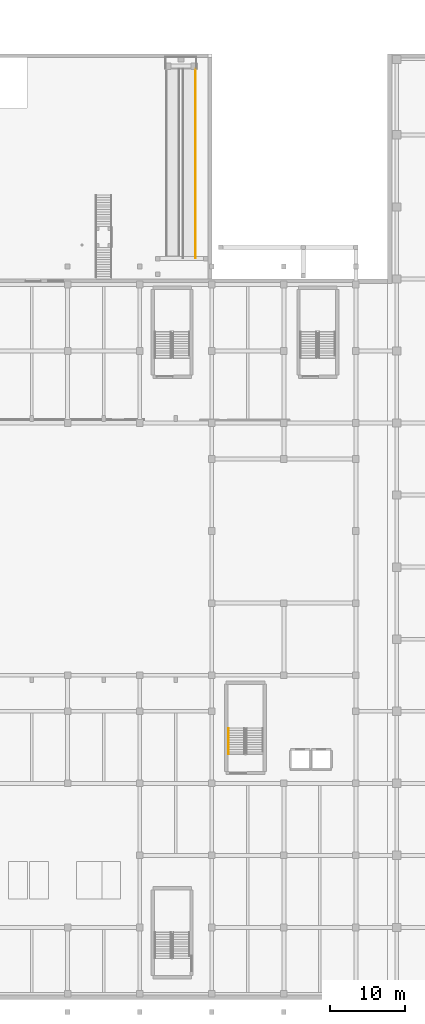
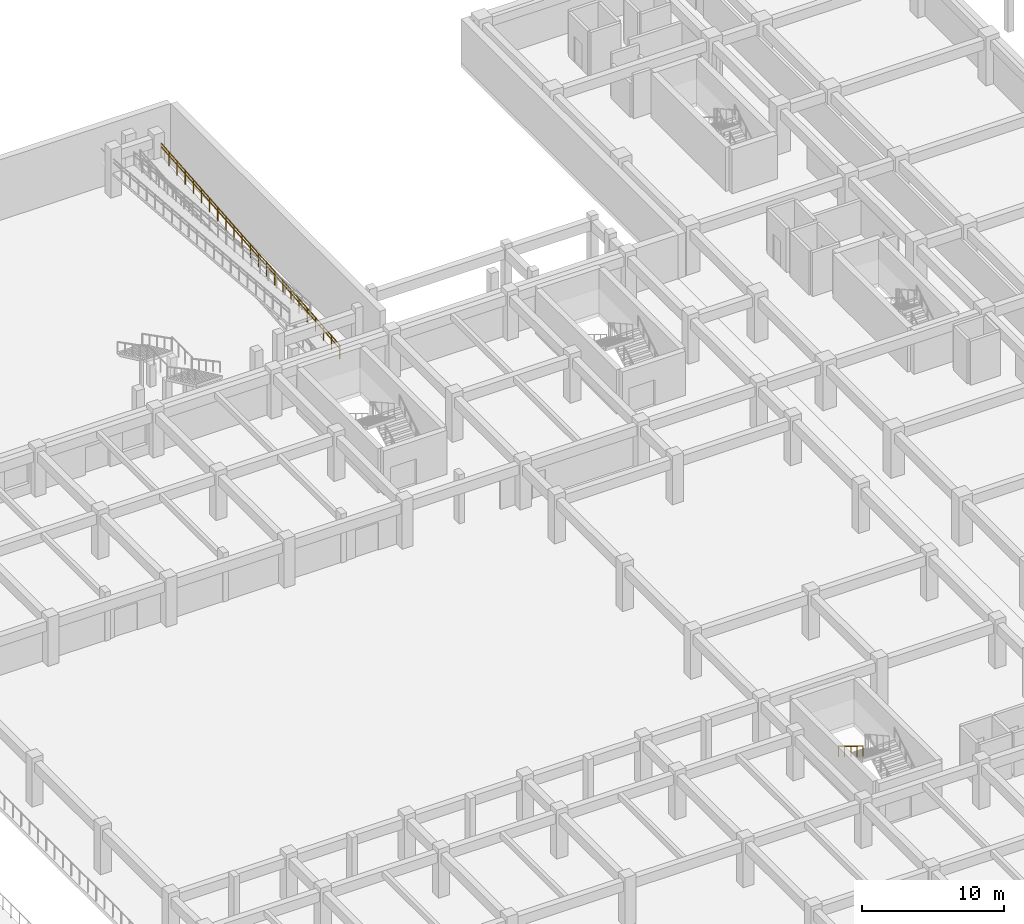
# One storey, part 34 of 39: 3 railings.
"""IFC4 building model written with IfcOpenShell, lengths in metres."""

from ifc_helpers import new_model, si_unit, direction, frame, origin, origin_2d, place, context, subcontext, project, spatial, circle, extrude, material, type_object, element, save


model = new_model("IFC4")

# Units and contexts
model_context = context("Model", 3, precision=1e-05, world=origin(), true_north=direction((0.0, 1.0)))
body_context = subcontext(model_context, "Body", "Model", "MODEL_VIEW")
ifc_project = project(units=[si_unit("LENGTHUNIT", "METRE"), si_unit("AREAUNIT", "SQUARE_METRE"), si_unit("VOLUMEUNIT", "CUBIC_METRE"), si_unit("PLANEANGLEUNIT", "RADIAN"), si_unit("MASSUNIT", "GRAM", prefix="KILO")], contexts=[model_context])

# Site, building, storey
site_placement = place(None, origin())
site = spatial("IfcSite", under=ifc_project, at=site_placement, CompositionType="ELEMENT")
building_placement = place(site_placement, origin())
building = spatial("IfcBuilding", under=site, at=building_placement, Name="Nakhvara Creek Congress Hotel", CompositionType="ELEMENT")
storey_placement = place(building_placement, frame((0.0, 0.0, -4.199951171875)))
storey = spatial("IfcBuildingStorey", under=building, at=storey_placement, Name="B1", CompositionType="ELEMENT", Elevation=-4.199951171875)

# Railings
ifc_material_1 = material(Name="Bronze-anodised aluminium and laminated safety glass balustrade", Category="aluminium")
railing_type_1 = type_object("IfcRailingType", Name="RL-BALUS-1200", PredefinedType="BALUSTRADE", material=ifc_material_1)
railing_1_placement = place(storey_placement, frame((122.639892578125, 98.800048828125, 0.0)))
element("IfcRailing", 1, at=railing_1_placement, inside=storey, type_object=railing_type_1, Name="Ramp Guard PR02-1R", PredefinedType="BALUSTRADE", context=body_context, shape_type="SweptSolid", body=[
    extrude(circle(Radius=0.02392578125, at=origin_2d()), frame((0.0, 0.0146484375, 1.177001953125), z_axis=(0.0, 0.996546224317, 0.083039886798), x_axis=(-1.0, 0.0, 0.0)), (0.0, 0.0, 1.0), 25.2578125),
    extrude(circle(Radius=0.02099609375, at=origin_2d()), origin(), (0.0, 0.0, 1.0), 1.1806640625),
    extrude(circle(Radius=0.02099609375, at=origin_2d()), frame((0.0, 1.1455078125, 0.095458984375)), (0.0, 0.0, 1.0), 1.1806640625),
    extrude(circle(Radius=0.02099609375, at=origin_2d()), frame((0.0, 2.291015625, 0.19091796875)), (0.0, 0.0, 1.0), 1.1806640625),
    extrude(circle(Radius=0.02099609375, at=origin_2d()), frame((0.0, 3.436279296875, 0.286376953125)), (0.0, 0.0, 1.0), 1.1806640625),
    extrude(circle(Radius=0.02099609375, at=origin_2d()), frame((0.0, 4.581787109375, 0.3818359375)), (0.0, 0.0, 1.0), 1.1806640625),
    extrude(circle(Radius=0.02099609375, at=origin_2d()), frame((0.0, 5.727294921875, 0.477294921875)), (0.0, 0.0, 1.0), 1.1806640625),
    extrude(circle(Radius=0.02099609375, at=origin_2d()), frame((0.0, 6.872802734375, 0.57275390625)), (0.0, 0.0, 1.0), 1.1806640625),
    extrude(circle(Radius=0.02099609375, at=origin_2d()), frame((0.0, 8.01806640625, 0.668212890625)), (0.0, 0.0, 1.0), 1.1806640625),
    extrude(circle(Radius=0.02099609375, at=origin_2d()), frame((0.0, 9.16357421875, 0.763671875)), (0.0, 0.0, 1.0), 1.1806640625),
    extrude(circle(Radius=0.02099609375, at=origin_2d()), frame((0.0, 10.30908203125, 0.859130859375)), (0.0, 0.0, 1.0), 1.1806640625),
    extrude(circle(Radius=0.02099609375, at=origin_2d()), frame((0.0, 11.45458984375, 0.95458984375)), (0.0, 0.0, 1.0), 1.1806640625),
    extrude(circle(Radius=0.02099609375, at=origin_2d()), frame((0.0, 12.60009765625, 1.0498046875)), (0.0, 0.0, 1.0), 1.1806640625),
    extrude(circle(Radius=0.02099609375, at=origin_2d()), frame((0.0, 13.745361328125, 1.145263671875)), (0.0, 0.0, 1.0), 1.1806640625),
    extrude(circle(Radius=0.02099609375, at=origin_2d()), frame((0.0, 14.890869140625, 1.24072265625)), (0.0, 0.0, 1.0), 1.1806640625),
    extrude(circle(Radius=0.02099609375, at=origin_2d()), frame((0.0, 16.036376953125, 1.336181640625)), (0.0, 0.0, 1.0), 1.1806640625),
    extrude(circle(Radius=0.02099609375, at=origin_2d()), frame((0.0, 17.181884765625, 1.431640625)), (0.0, 0.0, 1.0), 1.1806640625),
    extrude(circle(Radius=0.02099609375, at=origin_2d()), frame((0.0, 18.3271484375, 1.527099609375)), (0.0, 0.0, 1.0), 1.1806640625),
    extrude(circle(Radius=0.02099609375, at=origin_2d()), frame((0.0, 19.47265625, 1.62255859375)), (0.0, 0.0, 1.0), 1.1806640625),
    extrude(circle(Radius=0.02099609375, at=origin_2d()), frame((0.0, 20.6181640625, 1.718017578125)), (0.0, 0.0, 1.0), 1.1806640625),
    extrude(circle(Radius=0.02099609375, at=origin_2d()), frame((0.0, 21.763671875, 1.8134765625)), (0.0, 0.0, 1.0), 1.1806640625),
    extrude(circle(Radius=0.02099609375, at=origin_2d()), frame((0.0, 22.908935546875, 1.908935546875)), (0.0, 0.0, 1.0), 1.1806640625),
    extrude(circle(Radius=0.02099609375, at=origin_2d()), frame((0.0, 24.054443359375, 2.00439453125)), (0.0, 0.0, 1.0), 1.1806640625),
    extrude(circle(Radius=0.02099609375, at=origin_2d()), frame((0.0, 25.199951171875, 2.099853515625)), (0.0, 0.0, 1.0), 1.1806640625),
])
ifc_material_2 = material(Name="Brushed stainless steel 316L", Category="steel")
railing_type_2 = type_object("IfcRailingType", Name="RL-HAND-900", PredefinedType="HANDRAIL", material=ifc_material_2)
railing_2_placement = place(storey_placement, frame((127.02490234375, 36.14501953125, 2.27490234375)))
element("IfcRailing", 2, at=railing_2_placement, inside=storey, type_object=railing_type_2, Name="B1 ST06 stair handrail 2", PredefinedType="HANDRAIL", context=body_context, shape_type="SweptSolid", body=[
    extrude(circle(Radius=0.02392578125, at=origin_2d()), frame((0.0, -0.012451171875, 0.883544921875), z_axis=(0.0, -0.853990507121, 0.520288586985), x_axis=(1.0, 0.0, 0.0)), (0.0, 0.0, 1.0), 4.028076171875),
    extrude(circle(Radius=0.02099609375, at=origin_2d()), origin(), (0.0, 0.0, 1.0), 0.880615234375),
    extrude(circle(Radius=0.02099609375, at=origin_2d()), frame((0.0, -0.8662109375, 0.52783203125)), (0.0, 0.0, 1.0), 0.880615234375),
    extrude(circle(Radius=0.02099609375, at=origin_2d()), frame((0.0, -1.732421875, 1.0556640625)), (0.0, 0.0, 1.0), 0.880615234375),
    extrude(circle(Radius=0.02099609375, at=origin_2d()), frame((0.0, -2.598876953125, 1.583251953125)), (0.0, 0.0, 1.0), 0.880615234375),
    extrude(circle(Radius=0.02099609375, at=origin_2d()), frame((0.0, -3.465087890625, 2.111083984375)), (0.0, 0.0, 1.0), 0.880615234375),
])
railing_3_placement = place(storey_placement, frame((122.639892578125, 98.800048828125, 0.0)))
element("IfcRailing", 3, at=railing_3_placement, inside=storey, type_object=railing_type_2, Name="Ramp Handrail PR02-1R", PredefinedType="HANDRAIL", context=body_context, shape_type="SweptSolid", body=[
    extrude(circle(Radius=0.02392578125, at=origin_2d()), frame((0.0, 0.0146484375, 0.876953125), z_axis=(0.0, 0.996546224317, 0.083039886798), x_axis=(-1.0, 0.0, 0.0)), (0.0, 0.0, 1.0), 25.2578125),
    extrude(circle(Radius=0.02099609375, at=origin_2d()), origin(), (0.0, 0.0, 1.0), 0.880615234375),
    extrude(circle(Radius=0.02099609375, at=origin_2d()), frame((0.0, 1.1455078125, 0.095458984375)), (0.0, 0.0, 1.0), 0.880615234375),
    extrude(circle(Radius=0.02099609375, at=origin_2d()), frame((0.0, 2.291015625, 0.19091796875)), (0.0, 0.0, 1.0), 0.880615234375),
    extrude(circle(Radius=0.02099609375, at=origin_2d()), frame((0.0, 3.436279296875, 0.286376953125)), (0.0, 0.0, 1.0), 0.880615234375),
    extrude(circle(Radius=0.02099609375, at=origin_2d()), frame((0.0, 4.581787109375, 0.3818359375)), (0.0, 0.0, 1.0), 0.880615234375),
    extrude(circle(Radius=0.02099609375, at=origin_2d()), frame((0.0, 5.727294921875, 0.477294921875)), (0.0, 0.0, 1.0), 0.880615234375),
    extrude(circle(Radius=0.02099609375, at=origin_2d()), frame((0.0, 6.872802734375, 0.57275390625)), (0.0, 0.0, 1.0), 0.880615234375),
    extrude(circle(Radius=0.02099609375, at=origin_2d()), frame((0.0, 8.01806640625, 0.668212890625)), (0.0, 0.0, 1.0), 0.880615234375),
    extrude(circle(Radius=0.02099609375, at=origin_2d()), frame((0.0, 9.16357421875, 0.763671875)), (0.0, 0.0, 1.0), 0.880615234375),
    extrude(circle(Radius=0.02099609375, at=origin_2d()), frame((0.0, 10.30908203125, 0.859130859375)), (0.0, 0.0, 1.0), 0.880615234375),
    extrude(circle(Radius=0.02099609375, at=origin_2d()), frame((0.0, 11.45458984375, 0.95458984375)), (0.0, 0.0, 1.0), 0.880615234375),
    extrude(circle(Radius=0.02099609375, at=origin_2d()), frame((0.0, 12.60009765625, 1.0498046875)), (0.0, 0.0, 1.0), 0.880615234375),
    extrude(circle(Radius=0.02099609375, at=origin_2d()), frame((0.0, 13.745361328125, 1.145263671875)), (0.0, 0.0, 1.0), 0.880615234375),
    extrude(circle(Radius=0.02099609375, at=origin_2d()), frame((0.0, 14.890869140625, 1.24072265625)), (0.0, 0.0, 1.0), 0.880615234375),
    extrude(circle(Radius=0.02099609375, at=origin_2d()), frame((0.0, 16.036376953125, 1.336181640625)), (0.0, 0.0, 1.0), 0.880615234375),
    extrude(circle(Radius=0.02099609375, at=origin_2d()), frame((0.0, 17.181884765625, 1.431640625)), (0.0, 0.0, 1.0), 0.880615234375),
    extrude(circle(Radius=0.02099609375, at=origin_2d()), frame((0.0, 18.3271484375, 1.527099609375)), (0.0, 0.0, 1.0), 0.880615234375),
    extrude(circle(Radius=0.02099609375, at=origin_2d()), frame((0.0, 19.47265625, 1.62255859375)), (0.0, 0.0, 1.0), 0.880615234375),
    extrude(circle(Radius=0.02099609375, at=origin_2d()), frame((0.0, 20.6181640625, 1.718017578125)), (0.0, 0.0, 1.0), 0.880615234375),
    extrude(circle(Radius=0.02099609375, at=origin_2d()), frame((0.0, 21.763671875, 1.8134765625)), (0.0, 0.0, 1.0), 0.880615234375),
    extrude(circle(Radius=0.02099609375, at=origin_2d()), frame((0.0, 22.908935546875, 1.908935546875)), (0.0, 0.0, 1.0), 0.880615234375),
    extrude(circle(Radius=0.02099609375, at=origin_2d()), frame((0.0, 24.054443359375, 2.00439453125)), (0.0, 0.0, 1.0), 0.880615234375),
    extrude(circle(Radius=0.02099609375, at=origin_2d()), frame((0.0, 25.199951171875, 2.099853515625)), (0.0, 0.0, 1.0), 0.880615234375),
])

save(model, "model.ifc")
